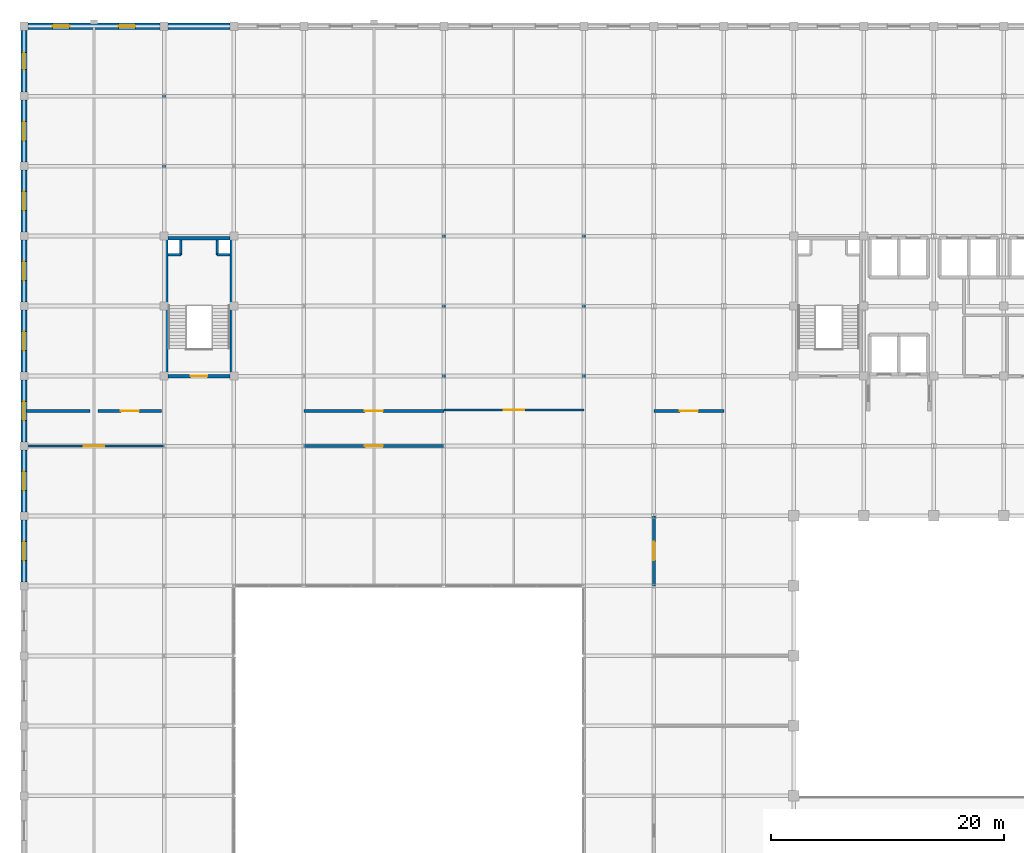
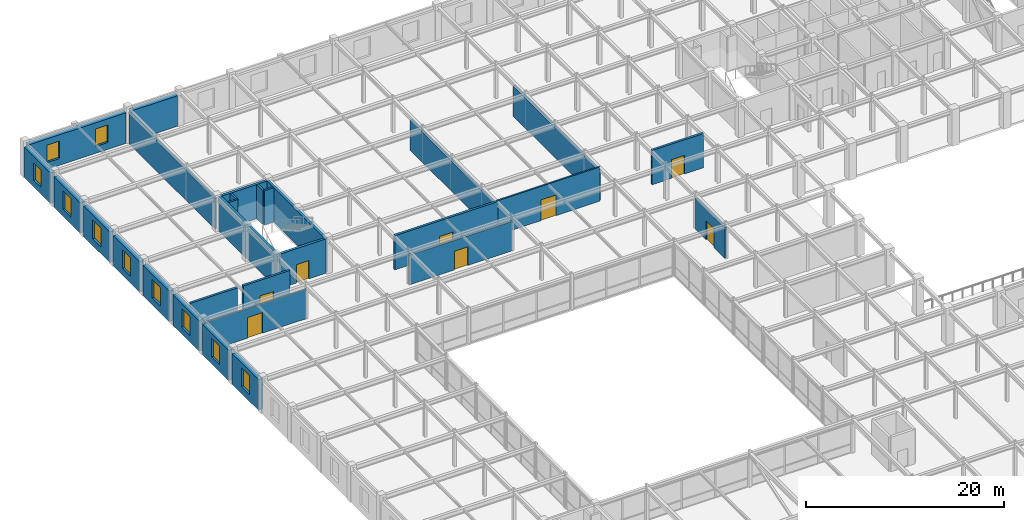
# One storey, part 100 of 108: 29 walls, 10 windows, 8 doors, 18 openings.
"""IFC4 building model written with IfcOpenShell, lengths in metres."""

from ifc_helpers import new_model, si_unit, direction, frame, frame_2d, origin, place, context, subcontext, project, spatial, rectangle, extrude, material, layer, layer_set, type_object, element, fill, save


model = new_model("IFC4")

# Units and contexts
model_context = context("Model", 3, precision=1e-05, world=origin(), true_north=direction((0.0, 1.0)))
body_context = subcontext(model_context, "Body", "Model", "MODEL_VIEW")
ifc_project = project(units=[si_unit("LENGTHUNIT", "METRE"), si_unit("AREAUNIT", "SQUARE_METRE"), si_unit("VOLUMEUNIT", "CUBIC_METRE"), si_unit("PLANEANGLEUNIT", "RADIAN"), si_unit("MASSUNIT", "GRAM", prefix="KILO")], contexts=[model_context])

# Site, building, storey
site_placement = place(None, origin())
site = spatial("IfcSite", under=ifc_project, at=site_placement, CompositionType="ELEMENT")
building_placement = place(site_placement, origin())
building = spatial("IfcBuilding", under=site, at=building_placement, Name="Zlatovratsky Civic Hall", CompositionType="ELEMENT")
storey_placement = place(building_placement, frame((0.0, 0.0, 12.0)))
storey = spatial("IfcBuildingStorey", under=building, at=storey_placement, Name="L03", CompositionType="ELEMENT", Elevation=12.0)

# Wall, opening, door
ifc_material_1 = material(Name="Acoustic ceramic blockwork", Category="masonry")
ifc_layer_1 = layer(ifc_material_1, 0.179931640625)
ifc_layer_set_1 = layer_set([ifc_layer_1], Name="Acoustic ceramic blockwork")
wall_type_1 = type_object("IfcWallType", Name="Wall_AcousticChamberPartition_180", PredefinedType="PARTITIONING", material=ifc_layer_set_1)
wall_1_placement = place(storey_placement, frame((0.0, 78.0, 0.0), z_axis=(0.0, 0.0, 1.0), x_axis=(1.0, 0.0, 0.0)))
wall_1 = element("IfcWall", 1, at=wall_1_placement, inside=storey, type_object=wall_type_1, Name="WL-6176", PredefinedType="PARTITIONING", context=body_context, shape_type="SweptSolid", body=[
    extrude(rectangle(XDim=12.0, YDim=0.179931640625, at=frame_2d((6.0, 0.0))), origin(), (0.0, 0.0, 1.0), 3.637939453125),
])
opening_1_placement = place(wall_1_placement, frame((5.125, 0.0, 0.0)))
opening_1 = element("IfcOpeningElement", 2, at=opening_1_placement, cuts=wall_1, Name="Opening D-13", PredefinedType="OPENING", context=body_context, shape_type="SweptSolid", body=[
    extrude(rectangle(XDim=1.75, YDim=2.550048828125, at=frame_2d((0.875, 1.27490234375))), frame((0.0, 0.10498046875, 0.0), z_axis=(0.0, -1.0, 0.0), x_axis=(1.0, 0.0, 0.0)), (0.0, 0.0, 1.0), 0.209716796875),
])
ifc_material_2 = material(Name="Solid oak joinery in steel frame", Category="steel")
door_type_1 = type_object("IfcDoorType", Name="Door_CommitteeSuiteDouble_1750x2550", OperationType="DOUBLE_DOOR_SINGLE_SWING", PredefinedType="DOOR", material=ifc_material_2)
door_1_placement = place(opening_1_placement, origin())
door_1 = element("IfcDoor", 3, at=door_1_placement, inside=storey, type_object=door_type_1, Name="DR-5297", OperationType="DOUBLE_DOOR_SINGLE_SWING", OverallHeight=2.550048828125, OverallWidth=1.75, PredefinedType="DOOR", context=body_context, shape_type="SweptSolid", body=[
    extrude(rectangle(XDim=1.75, YDim=2.550048828125, at=frame_2d((0.875, 1.27490234375))), frame((0.0, 0.02490234375, 0.0), z_axis=(0.0, -1.0, 0.0), x_axis=(1.0, 0.0, 0.0)), (0.0, 0.0, 1.0), 0.050048828125),
])
fill(opening_1, door_1)

wall_2_placement = place(storey_placement, frame((36.0, 81.10009765625, 0.0), z_axis=(0.0, 0.0, 1.0), x_axis=(1.0, 0.0, 0.0)))
wall_2 = element("IfcWall", 4, at=wall_2_placement, inside=storey, type_object=wall_type_1, Name="WL-6177", PredefinedType="PARTITIONING", context=body_context, shape_type="SweptSolid", body=[
    extrude(rectangle(XDim=12.0, YDim=0.179931640625, at=frame_2d((6.0, 0.0))), origin(), (0.0, 0.0, 1.0), 4.219970703125),
])
opening_2_placement = place(wall_2_placement, frame((5.125, 0.0, 0.0)))
opening_2 = element("IfcOpeningElement", 5, at=opening_2_placement, cuts=wall_2, Name="Opening D-13", PredefinedType="OPENING", context=body_context, shape_type="SweptSolid", body=[
    extrude(rectangle(XDim=1.75, YDim=2.550048828125, at=frame_2d((0.875, 1.27490234375))), frame((0.0, 0.10498046875, 0.0), z_axis=(0.0, -1.0, 0.0), x_axis=(1.0, 0.0, 0.0)), (0.0, 0.0, 1.0), 0.209716796875),
])
door_2_placement = place(opening_2_placement, origin())
door_2 = element("IfcDoor", 6, at=door_2_placement, inside=storey, type_object=door_type_1, Name="DR-5298", OperationType="DOUBLE_DOOR_SINGLE_SWING", OverallHeight=2.550048828125, OverallWidth=1.75, PredefinedType="DOOR", context=body_context, shape_type="SweptSolid", body=[
    extrude(rectangle(XDim=1.75, YDim=2.550048828125, at=frame_2d((0.875, 1.27490234375))), frame((0.0, 0.02490234375, 0.0), z_axis=(0.0, -1.0, 0.0), x_axis=(1.0, 0.0, 0.0)), (0.0, 0.0, 1.0), 0.050048828125),
])
fill(opening_2, door_2)

ifc_layer_2 = layer(ifc_material_1, 0.260009765625)
ifc_layer_set_2 = layer_set([ifc_layer_2], Name="Acoustic ceramic blockwork")
wall_type_2 = type_object("IfcWallType", Name="Wall_ArchiveCompartment_260", PredefinedType="PARTITIONING", material=ifc_layer_set_2)
wall_3_placement = place(storey_placement, frame((24.0, 78.0, 0.0), z_axis=(0.0, 0.0, 1.0), x_axis=(1.0, 0.0, 0.0)))
wall_3 = element("IfcWall", 7, at=wall_3_placement, inside=storey, type_object=wall_type_2, Name="WL-6181", PredefinedType="PARTITIONING", context=body_context, shape_type="SweptSolid", body=[
    extrude(rectangle(XDim=12.0, YDim=0.260009765625, at=frame_2d((6.0, 0.0))), origin(), (0.0, 0.0, 1.0), 3.637939453125),
])
opening_3_placement = place(wall_3_placement, frame((5.22509765625, 0.0, 0.0)))
opening_3 = element("IfcOpeningElement", 8, at=opening_3_placement, cuts=wall_3, Name="Opening D-15", PredefinedType="OPENING", context=body_context, shape_type="SweptSolid", body=[
    extrude(rectangle(XDim=1.550048828125, YDim=2.300048828125, at=frame_2d((0.77490234375, 1.14990234375))), frame((0.0, 0.14501953125, 0.0), z_axis=(0.0, -1.0, 0.0), x_axis=(1.0, 0.0, 0.0)), (0.0, 0.0, 1.0), 0.289794921875),
])
ifc_material_3 = material(Name="Insulated painted fire-rated steel leaf", Category="steel")
door_type_2 = type_object("IfcDoorType", Name="Door_CompactArchiveFire_1550x2300", OperationType="DOUBLE_DOOR_SINGLE_SWING", PredefinedType="DOOR", material=ifc_material_3)
door_3_placement = place(opening_3_placement, origin())
door_3 = element("IfcDoor", 9, at=door_3_placement, inside=storey, type_object=door_type_2, Name="DR-5302", OperationType="DOUBLE_DOOR_SINGLE_SWING", OverallHeight=2.300048828125, OverallWidth=1.550048828125, PredefinedType="DOOR", context=body_context, shape_type="SweptSolid", body=[
    extrude(rectangle(XDim=1.550048828125, YDim=2.300048828125, at=frame_2d((0.77490234375, 1.14990234375))), frame((0.0, 0.02490234375, 0.0), z_axis=(0.0, -1.0, 0.0), x_axis=(1.0, 0.0, 0.0)), (0.0, 0.0, 1.0), 0.050048828125),
])
fill(opening_3, door_3)

wall_4_placement = place(storey_placement, frame((24.0, 81.0, 0.0), z_axis=(0.0, 0.0, 1.0), x_axis=(1.0, 0.0, 0.0)))
wall_4 = element("IfcWall", 10, at=wall_4_placement, inside=storey, type_object=wall_type_2, Name="WL-6183", PredefinedType="PARTITIONING", context=body_context, shape_type="SweptSolid", body=[
    extrude(rectangle(XDim=12.0, YDim=0.260009765625, at=frame_2d((6.0, 0.0))), origin(), (0.0, 0.0, 1.0), 4.219970703125),
])
opening_4_placement = place(wall_4_placement, frame((5.22509765625, 0.0, 0.0)))
opening_4 = element("IfcOpeningElement", 11, at=opening_4_placement, cuts=wall_4, Name="Opening D-15", PredefinedType="OPENING", context=body_context, shape_type="SweptSolid", body=[
    extrude(rectangle(XDim=1.550048828125, YDim=2.300048828125, at=frame_2d((0.77490234375, 1.14990234375))), frame((0.0, 0.14501953125, 0.0), z_axis=(0.0, -1.0, 0.0), x_axis=(1.0, 0.0, 0.0)), (0.0, 0.0, 1.0), 0.289794921875),
])
door_4_placement = place(opening_4_placement, origin())
door_4 = element("IfcDoor", 12, at=door_4_placement, inside=storey, type_object=door_type_2, Name="DR-5304", OperationType="DOUBLE_DOOR_SINGLE_SWING", OverallHeight=2.300048828125, OverallWidth=1.550048828125, PredefinedType="DOOR", context=body_context, shape_type="SweptSolid", body=[
    extrude(rectangle(XDim=1.550048828125, YDim=2.300048828125, at=frame_2d((0.77490234375, 1.14990234375))), frame((0.0, 0.02490234375, 0.0), z_axis=(0.0, -1.0, 0.0), x_axis=(1.0, 0.0, 0.0)), (0.0, 0.0, 1.0), 0.050048828125),
])
fill(opening_4, door_4)

wall_5_placement = place(storey_placement, frame((54.0, 81.0, 0.0), z_axis=(0.0, 0.0, 1.0), x_axis=(1.0, 0.0, 0.0)))
wall_5 = element("IfcWall", 13, at=wall_5_placement, inside=storey, type_object=wall_type_2, Name="WL-6184", PredefinedType="PARTITIONING", context=body_context, shape_type="SweptSolid", body=[
    extrude(rectangle(XDim=6.0, YDim=0.260009765625, at=frame_2d((3.0, 0.0))), origin(), (0.0, 0.0, 1.0), 4.219970703125),
])
opening_5_placement = place(wall_5_placement, frame((2.22509765625, 0.0, 0.0)))
opening_5 = element("IfcOpeningElement", 14, at=opening_5_placement, cuts=wall_5, Name="Opening D-15", PredefinedType="OPENING", context=body_context, shape_type="SweptSolid", body=[
    extrude(rectangle(XDim=1.550048828125, YDim=2.300048828125, at=frame_2d((0.77490234375, 1.14990234375))), frame((0.0, 0.14501953125, 0.0), z_axis=(0.0, -1.0, 0.0), x_axis=(1.0, 0.0, 0.0)), (0.0, 0.0, 1.0), 0.289794921875),
])
door_5_placement = place(opening_5_placement, origin())
door_5 = element("IfcDoor", 15, at=door_5_placement, inside=storey, type_object=door_type_2, Name="DR-5305", OperationType="DOUBLE_DOOR_SINGLE_SWING", OverallHeight=2.300048828125, OverallWidth=1.550048828125, PredefinedType="DOOR", context=body_context, shape_type="SweptSolid", body=[
    extrude(rectangle(XDim=1.550048828125, YDim=2.300048828125, at=frame_2d((0.77490234375, 1.14990234375))), frame((0.0, 0.02490234375, 0.0), z_axis=(0.0, -1.0, 0.0), x_axis=(1.0, 0.0, 0.0)), (0.0, 0.0, 1.0), 0.050048828125),
])
fill(opening_5, door_5)

wall_6_placement = place(storey_placement, frame((54.0, 66.0, 0.0), z_axis=(0.0, 0.0, 1.0), x_axis=(0.0, 1.0, 0.0)))
wall_6 = element("IfcWall", 16, at=wall_6_placement, inside=storey, type_object=wall_type_2, Name="WL-6188", PredefinedType="PARTITIONING", context=body_context, shape_type="SweptSolid", body=[
    extrude(rectangle(XDim=6.0, YDim=0.260009765625, at=frame_2d((3.0, 0.0))), origin(), (0.0, 0.0, 1.0), 3.738037109375),
])
opening_6_placement = place(wall_6_placement, frame((2.22509765625, 0.0, 0.0)))
opening_6 = element("IfcOpeningElement", 17, at=opening_6_placement, cuts=wall_6, Name="Opening D-15", PredefinedType="OPENING", context=body_context, shape_type="SweptSolid", body=[
    extrude(rectangle(XDim=1.550048828125, YDim=2.300048828125, at=frame_2d((0.77490234375, 1.14990234375))), frame((0.0, 0.14501953125, 0.0), z_axis=(0.0, -1.0, 0.0), x_axis=(1.0, 0.0, 0.0)), (0.0, 0.0, 1.0), 0.289794921875),
])
door_6_placement = place(opening_6_placement, origin())
door_6 = element("IfcDoor", 18, at=door_6_placement, inside=storey, type_object=door_type_2, Name="DR-5309", OperationType="DOUBLE_DOOR_SINGLE_SWING", OverallHeight=2.300048828125, OverallWidth=1.550048828125, PredefinedType="DOOR", context=body_context, shape_type="SweptSolid", body=[
    extrude(rectangle(XDim=1.550048828125, YDim=2.300048828125, at=frame_2d((0.77490234375, 1.14990234375))), frame((0.0, 0.02490234375, 0.0), z_axis=(0.0, -1.0, 0.0), x_axis=(1.0, 0.0, 0.0)), (0.0, 0.0, 1.0), 0.050048828125),
])
fill(opening_6, door_6)

wall_7_placement = place(storey_placement, frame((6.35009765625, 81.0, 0.0), z_axis=(0.0, 0.0, 1.0), x_axis=(1.0, 0.0, 0.0)))
wall_7 = element("IfcWall", 19, at=wall_7_placement, inside=storey, type_object=wall_type_2, Name="WL-6191", PredefinedType="PARTITIONING", context=body_context, shape_type="SweptSolid", body=[
    extrude(rectangle(XDim=5.449951171875, YDim=0.260009765625, at=frame_2d((2.72509765625, 0.0))), origin(), (0.0, 0.0, 1.0), 4.219970703125),
])
opening_7_placement = place(wall_7_placement, frame((1.949951171875, 0.0, 0.0)))
opening_7 = element("IfcOpeningElement", 20, at=opening_7_placement, cuts=wall_7, Name="Opening D-15", PredefinedType="OPENING", context=body_context, shape_type="SweptSolid", body=[
    extrude(rectangle(XDim=1.550048828125, YDim=2.300048828125, at=frame_2d((0.77490234375, 1.14990234375))), frame((0.0, 0.14501953125, 0.0), z_axis=(0.0, -1.0, 0.0), x_axis=(1.0, 0.0, 0.0)), (0.0, 0.0, 1.0), 0.289794921875),
])
door_7_placement = place(opening_7_placement, origin())
door_7 = element("IfcDoor", 21, at=door_7_placement, inside=storey, type_object=door_type_2, Name="DR-5312", OperationType="DOUBLE_DOOR_SINGLE_SWING", OverallHeight=2.300048828125, OverallWidth=1.550048828125, PredefinedType="DOOR", context=body_context, shape_type="SweptSolid", body=[
    extrude(rectangle(XDim=1.550048828125, YDim=2.300048828125, at=frame_2d((0.77490234375, 1.14990234375))), frame((0.0, 0.02490234375, 0.0), z_axis=(0.0, -1.0, 0.0), x_axis=(1.0, 0.0, 0.0)), (0.0, 0.0, 1.0), 0.050048828125),
])
fill(opening_7, door_7)

# Walls
for number, where, z_axis, x_axis, name in (
    (22, (36.0, 81.14990234375, 0.0), (0.0, 0.0, 1.0), (0.0, 1.0, 0.0), "WL-6193"),
    (23, (48.0, 81.14990234375, 0.0), (0.0, 0.0, 1.0), (0.0, 1.0, 0.0), "WL-6194"),
):
    element("IfcWall", number, at=place(storey_placement, frame(where, z_axis=z_axis, x_axis=x_axis)), inside=storey, type_object=wall_type_2, Name=name, PredefinedType="PARTITIONING", context=body_context, shape_type="SweptSolid", body=[
        extrude(rectangle(XDim=17.2001953125, YDim=0.260009765625, at=frame_2d((8.60009765625, 0.0))), origin(), (0.0, 0.0, 1.0), 3.738037109375),
    ])
wall_8_placement = place(storey_placement, frame((0.199951171875, 81.0, 0.0), z_axis=(0.0, 0.0, 1.0), x_axis=(1.0, 0.0, 0.0)))
element("IfcWall", 24, at=wall_8_placement, inside=storey, type_object=wall_type_2, Name="WL-6201", PredefinedType="PARTITIONING", context=body_context, shape_type="SweptSolid", body=[
    extrude(rectangle(XDim=5.449951171875, YDim=0.260009765625, at=frame_2d((2.72509765625, 0.0))), origin(), (0.0, 0.0, 1.0), 4.219970703125),
])
wall_9_placement = place(storey_placement, frame((12.0, 96.199951171875, 0.0), z_axis=(0.0, 0.0, 1.0), x_axis=(0.0, 1.0, 0.0)))
element("IfcWall", 25, at=wall_9_placement, inside=storey, type_object=wall_type_2, Name="WL-6203", PredefinedType="PARTITIONING", context=body_context, shape_type="SweptSolid", body=[
    extrude(rectangle(XDim=17.300048828125, YDim=0.260009765625, at=frame_2d((8.64990234375, 0.0))), origin(), (0.0, 0.0, 1.0), 3.738037109375),
])

# Wall, openings, windows
ifc_layer_3 = layer(ifc_material_1, 0.39990234375, Name="Backing")
ifc_material_4 = material(Name="Polished Karelian granite ashlar", Category="masonry")
ifc_layer_4 = layer(ifc_material_4, 0.139892578125, Name="Finish")
ifc_layer_set_3 = layer_set([ifc_layer_3, ifc_layer_4], Name="Acoustic ceramic blockwork")
wall_type_3 = type_object("IfcWallType", Name="Wall_PodiumGraniteArcade_540", PredefinedType="SOLIDWALL", material=ifc_layer_set_3)
wall_10_placement = place(storey_placement, frame((0.35009765625, 114.0, 0.0), z_axis=(0.0, 0.0, 1.0), x_axis=(1.0, 0.0, 0.0)))
wall_10 = element("IfcWall", 26, at=wall_10_placement, inside=storey, type_object=wall_type_3, Name="WL-0259", PredefinedType="SOLIDWALL", context=body_context, shape_type="SweptSolid", body=[
    extrude(rectangle(XDim=11.2998046875, YDim=0.5400390625, at=frame_2d((5.64990234375, 0.0))), origin(), (0.0, 0.0, 1.0), 3.77001953125),
])
opening_8_placement = place(wall_10_placement, frame((2.10009765625, 0.0, 0.85009765625)))
opening_8 = element("IfcOpeningElement", 27, at=opening_8_placement, cuts=wall_10, Name="Opening WN-28", PredefinedType="OPENING", context=body_context, shape_type="SweptSolid", body=[
    extrude(rectangle(XDim=1.449951171875, YDim=2.14990234375, at=frame_2d((0.72509765625, 1.074951171875))), frame((0.0, 0.284912109375, 0.0), z_axis=(0.0, -1.0, 0.0), x_axis=(1.0, 0.0, 0.0)), (0.0, 0.0, 1.0), 0.56982421875),
])
opening_9_placement = place(wall_10_placement, frame((7.75, 0.0, 0.85009765625)))
opening_9 = element("IfcOpeningElement", 28, at=opening_9_placement, cuts=wall_10, Name="Opening WN-28", PredefinedType="OPENING", context=body_context, shape_type="SweptSolid", body=[
    extrude(rectangle(XDim=1.449951171875, YDim=2.14990234375, at=frame_2d((0.72509765625, 1.074951171875))), frame((0.0, 0.284912109375, 0.0), z_axis=(0.0, -1.0, 0.0), x_axis=(1.0, 0.0, 0.0)), (0.0, 0.0, 1.0), 0.56982421875),
])
ifc_material_5 = material(Name="Low-E laminated double glazing", Category="glass")
window_type_1 = type_object("IfcWindowType", Name="Window_CornerBastionUpper_1450x2150", PartitioningType="SINGLE_PANEL", PredefinedType="WINDOW", material=ifc_material_5)
window_1_placement = place(opening_8_placement, origin())
window_1 = element("IfcWindow", 29, at=window_1_placement, inside=storey, type_object=window_type_1, Name="WN-0189", OverallHeight=2.14990234375, OverallWidth=1.449951171875, PartitioningType="SINGLE_PANEL", PredefinedType="WINDOW", context=body_context, shape_type="SweptSolid", body=[
    extrude(rectangle(XDim=1.449951171875, YDim=2.14990234375, at=frame_2d((0.72509765625, 1.074951171875))), frame((0.0, 0.030029296875, 0.0), z_axis=(0.0, -1.0, 0.0), x_axis=(1.0, 0.0, 0.0)), (0.0, 0.0, 1.0), 0.06005859375),
])
fill(opening_8, window_1)
window_2_placement = place(opening_9_placement, origin())
window_2 = element("IfcWindow", 30, at=window_2_placement, inside=storey, type_object=window_type_1, Name="WN-0190", OverallHeight=2.14990234375, OverallWidth=1.449951171875, PartitioningType="SINGLE_PANEL", PredefinedType="WINDOW", context=body_context, shape_type="SweptSolid", body=[
    extrude(rectangle(XDim=1.449951171875, YDim=2.14990234375, at=frame_2d((0.72509765625, 1.074951171875))), frame((0.0, 0.030029296875, 0.0), z_axis=(0.0, -1.0, 0.0), x_axis=(1.0, 0.0, 0.0)), (0.0, 0.0, 1.0), 0.06005859375),
])
fill(opening_9, window_2)

# Wall
wall_11_placement = place(storey_placement, frame((12.35009765625, 114.0, 0.0), z_axis=(0.0, 0.0, 1.0), x_axis=(1.0, 0.0, 0.0)))
element("IfcWall", 31, at=wall_11_placement, inside=storey, type_object=wall_type_3, Name="WL-0260", PredefinedType="SOLIDWALL", context=body_context, shape_type="SweptSolid", body=[
    extrude(rectangle(XDim=5.2998046875, YDim=0.5400390625, at=frame_2d((2.64990234375, 0.0))), origin(), (0.0, 0.0, 1.0), 3.77001953125),
])

# Wall, opening, window
wall_12_placement = place(storey_placement, frame((0.0, 66.35009765625, 0.0), z_axis=(0.0, 0.0, 1.0), x_axis=(0.0, 1.0, 0.0)))
wall_12 = element("IfcWall", 32, at=wall_12_placement, inside=storey, type_object=wall_type_3, Name="WL-0290", PredefinedType="SOLIDWALL", context=body_context, shape_type="SweptSolid", body=[
    extrude(rectangle(XDim=5.2998046875, YDim=0.5400390625, at=frame_2d((2.64990234375, 0.0))), origin(), (0.0, 0.0, 1.0), 3.77001953125),
])
opening_10_placement = place(wall_12_placement, frame((1.824951171875, 0.0, 0.85009765625)))
opening_10 = element("IfcOpeningElement", 33, at=opening_10_placement, cuts=wall_12, Name="Opening WN-09", PredefinedType="OPENING", context=body_context, shape_type="SweptSolid", body=[
    extrude(rectangle(XDim=1.64990234375, YDim=2.300048828125, at=frame_2d((0.824951171875, 1.14990234375))), frame((0.0, 0.284912109375, 0.0), z_axis=(0.0, -1.0, 0.0), x_axis=(1.0, 0.0, 0.0)), (0.0, 0.0, 1.0), 0.56982421875),
])
window_type_2 = type_object("IfcWindowType", Name="Window_CourtWingL03_1650x2300", PartitioningType="SINGLE_PANEL", PredefinedType="WINDOW", material=ifc_material_5)
window_3_placement = place(opening_10_placement, origin())
window_3 = element("IfcWindow", 34, at=window_3_placement, inside=storey, type_object=window_type_2, Name="WN-0226", OverallHeight=2.300048828125, OverallWidth=1.64990234375, PartitioningType="SINGLE_PANEL", PredefinedType="WINDOW", context=body_context, shape_type="SweptSolid", body=[
    extrude(rectangle(XDim=1.64990234375, YDim=2.300048828125, at=frame_2d((0.824951171875, 1.14990234375))), frame((0.0, 0.030029296875, 0.0), z_axis=(0.0, -1.0, 0.0), x_axis=(1.0, 0.0, 0.0)), (0.0, 0.0, 1.0), 0.06005859375),
])
fill(opening_10, window_3)

wall_13_placement = place(storey_placement, frame((0.0, 72.35009765625, 0.0), z_axis=(0.0, 0.0, 1.0), x_axis=(0.0, 1.0, 0.0)))
wall_13 = element("IfcWall", 35, at=wall_13_placement, inside=storey, type_object=wall_type_3, Name="WL-0291", PredefinedType="SOLIDWALL", context=body_context, shape_type="SweptSolid", body=[
    extrude(rectangle(XDim=5.2998046875, YDim=0.5400390625, at=frame_2d((2.64990234375, 0.0))), origin(), (0.0, 0.0, 1.0), 3.77001953125),
])
opening_11_placement = place(wall_13_placement, frame((1.824951171875, 0.0, 0.85009765625)))
opening_11 = element("IfcOpeningElement", 36, at=opening_11_placement, cuts=wall_13, Name="Opening WN-09", PredefinedType="OPENING", context=body_context, shape_type="SweptSolid", body=[
    extrude(rectangle(XDim=1.64990234375, YDim=2.300048828125, at=frame_2d((0.824951171875, 1.14990234375))), frame((0.0, 0.284912109375, 0.0), z_axis=(0.0, -1.0, 0.0), x_axis=(1.0, 0.0, 0.0)), (0.0, 0.0, 1.0), 0.56982421875),
])
window_4_placement = place(opening_11_placement, origin())
window_4 = element("IfcWindow", 37, at=window_4_placement, inside=storey, type_object=window_type_2, Name="WN-0227", OverallHeight=2.300048828125, OverallWidth=1.64990234375, PartitioningType="SINGLE_PANEL", PredefinedType="WINDOW", context=body_context, shape_type="SweptSolid", body=[
    extrude(rectangle(XDim=1.64990234375, YDim=2.300048828125, at=frame_2d((0.824951171875, 1.14990234375))), frame((0.0, 0.030029296875, 0.0), z_axis=(0.0, -1.0, 0.0), x_axis=(1.0, 0.0, 0.0)), (0.0, 0.0, 1.0), 0.06005859375),
])
fill(opening_11, window_4)

wall_14_placement = place(storey_placement, frame((0.0, 78.35009765625, 0.0), z_axis=(0.0, 0.0, 1.0), x_axis=(0.0, 1.0, 0.0)))
wall_14 = element("IfcWall", 38, at=wall_14_placement, inside=storey, type_object=wall_type_3, Name="WL-0292", PredefinedType="SOLIDWALL", context=body_context, shape_type="SweptSolid", body=[
    extrude(rectangle(XDim=5.2998046875, YDim=0.5400390625, at=frame_2d((2.64990234375, 0.0))), origin(), (0.0, 0.0, 1.0), 3.77001953125),
])
opening_12_placement = place(wall_14_placement, frame((1.824951171875, 0.0, 0.85009765625)))
opening_12 = element("IfcOpeningElement", 39, at=opening_12_placement, cuts=wall_14, Name="Opening WN-09", PredefinedType="OPENING", context=body_context, shape_type="SweptSolid", body=[
    extrude(rectangle(XDim=1.64990234375, YDim=2.300048828125, at=frame_2d((0.824951171875, 1.14990234375))), frame((0.0, 0.284912109375, 0.0), z_axis=(0.0, -1.0, 0.0), x_axis=(1.0, 0.0, 0.0)), (0.0, 0.0, 1.0), 0.56982421875),
])
window_5_placement = place(opening_12_placement, origin())
window_5 = element("IfcWindow", 40, at=window_5_placement, inside=storey, type_object=window_type_2, Name="WN-0228", OverallHeight=2.300048828125, OverallWidth=1.64990234375, PartitioningType="SINGLE_PANEL", PredefinedType="WINDOW", context=body_context, shape_type="SweptSolid", body=[
    extrude(rectangle(XDim=1.64990234375, YDim=2.300048828125, at=frame_2d((0.824951171875, 1.14990234375))), frame((0.0, 0.030029296875, 0.0), z_axis=(0.0, -1.0, 0.0), x_axis=(1.0, 0.0, 0.0)), (0.0, 0.0, 1.0), 0.06005859375),
])
fill(opening_12, window_5)

wall_15_placement = place(storey_placement, frame((0.0, 84.35009765625, 0.0), z_axis=(0.0, 0.0, 1.0), x_axis=(0.0, 1.0, 0.0)))
wall_15 = element("IfcWall", 41, at=wall_15_placement, inside=storey, type_object=wall_type_3, Name="WL-0293", PredefinedType="SOLIDWALL", context=body_context, shape_type="SweptSolid", body=[
    extrude(rectangle(XDim=5.2998046875, YDim=0.5400390625, at=frame_2d((2.64990234375, 0.0))), origin(), (0.0, 0.0, 1.0), 3.77001953125),
])
opening_13_placement = place(wall_15_placement, frame((1.824951171875, 0.0, 0.85009765625)))
opening_13 = element("IfcOpeningElement", 42, at=opening_13_placement, cuts=wall_15, Name="Opening WN-09", PredefinedType="OPENING", context=body_context, shape_type="SweptSolid", body=[
    extrude(rectangle(XDim=1.64990234375, YDim=2.300048828125, at=frame_2d((0.824951171875, 1.14990234375))), frame((0.0, 0.284912109375, 0.0), z_axis=(0.0, -1.0, 0.0), x_axis=(1.0, 0.0, 0.0)), (0.0, 0.0, 1.0), 0.56982421875),
])
window_6_placement = place(opening_13_placement, origin())
window_6 = element("IfcWindow", 43, at=window_6_placement, inside=storey, type_object=window_type_2, Name="WN-0229", OverallHeight=2.300048828125, OverallWidth=1.64990234375, PartitioningType="SINGLE_PANEL", PredefinedType="WINDOW", context=body_context, shape_type="SweptSolid", body=[
    extrude(rectangle(XDim=1.64990234375, YDim=2.300048828125, at=frame_2d((0.824951171875, 1.14990234375))), frame((0.0, 0.030029296875, 0.0), z_axis=(0.0, -1.0, 0.0), x_axis=(1.0, 0.0, 0.0)), (0.0, 0.0, 1.0), 0.06005859375),
])
fill(opening_13, window_6)

wall_16_placement = place(storey_placement, frame((0.0, 90.35009765625, 0.0), z_axis=(0.0, 0.0, 1.0), x_axis=(0.0, 1.0, 0.0)))
wall_16 = element("IfcWall", 44, at=wall_16_placement, inside=storey, type_object=wall_type_3, Name="WL-0294", PredefinedType="SOLIDWALL", context=body_context, shape_type="SweptSolid", body=[
    extrude(rectangle(XDim=5.2998046875, YDim=0.5400390625, at=frame_2d((2.64990234375, 0.0))), origin(), (0.0, 0.0, 1.0), 3.77001953125),
])
opening_14_placement = place(wall_16_placement, frame((1.824951171875, 0.0, 0.85009765625)))
opening_14 = element("IfcOpeningElement", 45, at=opening_14_placement, cuts=wall_16, Name="Opening WN-09", PredefinedType="OPENING", context=body_context, shape_type="SweptSolid", body=[
    extrude(rectangle(XDim=1.64990234375, YDim=2.300048828125, at=frame_2d((0.824951171875, 1.14990234375))), frame((0.0, 0.284912109375, 0.0), z_axis=(0.0, -1.0, 0.0), x_axis=(1.0, 0.0, 0.0)), (0.0, 0.0, 1.0), 0.56982421875),
])
window_7_placement = place(opening_14_placement, origin())
window_7 = element("IfcWindow", 46, at=window_7_placement, inside=storey, type_object=window_type_2, Name="WN-0230", OverallHeight=2.300048828125, OverallWidth=1.64990234375, PartitioningType="SINGLE_PANEL", PredefinedType="WINDOW", context=body_context, shape_type="SweptSolid", body=[
    extrude(rectangle(XDim=1.64990234375, YDim=2.300048828125, at=frame_2d((0.824951171875, 1.14990234375))), frame((0.0, 0.030029296875, 0.0), z_axis=(0.0, -1.0, 0.0), x_axis=(1.0, 0.0, 0.0)), (0.0, 0.0, 1.0), 0.06005859375),
])
fill(opening_14, window_7)

wall_17_placement = place(storey_placement, frame((0.0, 96.35009765625, 0.0), z_axis=(0.0, 0.0, 1.0), x_axis=(0.0, 1.0, 0.0)))
wall_17 = element("IfcWall", 47, at=wall_17_placement, inside=storey, type_object=wall_type_3, Name="WL-0295", PredefinedType="SOLIDWALL", context=body_context, shape_type="SweptSolid", body=[
    extrude(rectangle(XDim=5.2998046875, YDim=0.5400390625, at=frame_2d((2.64990234375, 0.0))), origin(), (0.0, 0.0, 1.0), 3.77001953125),
])
opening_15_placement = place(wall_17_placement, frame((1.824951171875, 0.0, 0.85009765625)))
opening_15 = element("IfcOpeningElement", 48, at=opening_15_placement, cuts=wall_17, Name="Opening WN-09", PredefinedType="OPENING", context=body_context, shape_type="SweptSolid", body=[
    extrude(rectangle(XDim=1.64990234375, YDim=2.300048828125, at=frame_2d((0.824951171875, 1.14990234375))), frame((0.0, 0.284912109375, 0.0), z_axis=(0.0, -1.0, 0.0), x_axis=(1.0, 0.0, 0.0)), (0.0, 0.0, 1.0), 0.56982421875),
])
window_8_placement = place(opening_15_placement, origin())
window_8 = element("IfcWindow", 49, at=window_8_placement, inside=storey, type_object=window_type_2, Name="WN-0231", OverallHeight=2.300048828125, OverallWidth=1.64990234375, PartitioningType="SINGLE_PANEL", PredefinedType="WINDOW", context=body_context, shape_type="SweptSolid", body=[
    extrude(rectangle(XDim=1.64990234375, YDim=2.300048828125, at=frame_2d((0.824951171875, 1.14990234375))), frame((0.0, 0.030029296875, 0.0), z_axis=(0.0, -1.0, 0.0), x_axis=(1.0, 0.0, 0.0)), (0.0, 0.0, 1.0), 0.06005859375),
])
fill(opening_15, window_8)

wall_18_placement = place(storey_placement, frame((0.0, 102.35009765625, 0.0), z_axis=(0.0, 0.0, 1.0), x_axis=(0.0, 1.0, 0.0)))
wall_18 = element("IfcWall", 50, at=wall_18_placement, inside=storey, type_object=wall_type_3, Name="WL-0296", PredefinedType="SOLIDWALL", context=body_context, shape_type="SweptSolid", body=[
    extrude(rectangle(XDim=5.2998046875, YDim=0.5400390625, at=frame_2d((2.64990234375, 0.0))), origin(), (0.0, 0.0, 1.0), 3.77001953125),
])
opening_16_placement = place(wall_18_placement, frame((1.824951171875, 0.0, 0.85009765625)))
opening_16 = element("IfcOpeningElement", 51, at=opening_16_placement, cuts=wall_18, Name="Opening WN-09", PredefinedType="OPENING", context=body_context, shape_type="SweptSolid", body=[
    extrude(rectangle(XDim=1.64990234375, YDim=2.300048828125, at=frame_2d((0.824951171875, 1.14990234375))), frame((0.0, 0.284912109375, 0.0), z_axis=(0.0, -1.0, 0.0), x_axis=(1.0, 0.0, 0.0)), (0.0, 0.0, 1.0), 0.56982421875),
])
window_9_placement = place(opening_16_placement, origin())
window_9 = element("IfcWindow", 52, at=window_9_placement, inside=storey, type_object=window_type_2, Name="WN-0232", OverallHeight=2.300048828125, OverallWidth=1.64990234375, PartitioningType="SINGLE_PANEL", PredefinedType="WINDOW", context=body_context, shape_type="SweptSolid", body=[
    extrude(rectangle(XDim=1.64990234375, YDim=2.300048828125, at=frame_2d((0.824951171875, 1.14990234375))), frame((0.0, 0.030029296875, 0.0), z_axis=(0.0, -1.0, 0.0), x_axis=(1.0, 0.0, 0.0)), (0.0, 0.0, 1.0), 0.06005859375),
])
fill(opening_16, window_9)

wall_19_placement = place(storey_placement, frame((0.0, 108.35009765625, 0.0), z_axis=(0.0, 0.0, 1.0), x_axis=(0.0, 1.0, 0.0)))
wall_19 = element("IfcWall", 53, at=wall_19_placement, inside=storey, type_object=wall_type_3, Name="WL-0297", PredefinedType="SOLIDWALL", context=body_context, shape_type="SweptSolid", body=[
    extrude(rectangle(XDim=5.2998046875, YDim=0.5400390625, at=frame_2d((2.64990234375, 0.0))), origin(), (0.0, 0.0, 1.0), 3.77001953125),
])
opening_17_placement = place(wall_19_placement, frame((1.925048828125, 0.0, 0.85009765625)))
opening_17 = element("IfcOpeningElement", 54, at=opening_17_placement, cuts=wall_19, Name="Opening WN-28", PredefinedType="OPENING", context=body_context, shape_type="SweptSolid", body=[
    extrude(rectangle(XDim=1.449951171875, YDim=2.14990234375, at=frame_2d((0.72509765625, 1.074951171875))), frame((0.0, 0.284912109375, 0.0), z_axis=(0.0, -1.0, 0.0), x_axis=(1.0, 0.0, 0.0)), (0.0, 0.0, 1.0), 0.56982421875),
])
window_10_placement = place(opening_17_placement, origin())
window_10 = element("IfcWindow", 55, at=window_10_placement, inside=storey, type_object=window_type_1, Name="WN-0233", OverallHeight=2.14990234375, OverallWidth=1.449951171875, PartitioningType="SINGLE_PANEL", PredefinedType="WINDOW", context=body_context, shape_type="SweptSolid", body=[
    extrude(rectangle(XDim=1.449951171875, YDim=2.14990234375, at=frame_2d((0.72509765625, 1.074951171875))), frame((0.0, 0.030029296875, 0.0), z_axis=(0.0, -1.0, 0.0), x_axis=(1.0, 0.0, 0.0)), (0.0, 0.0, 1.0), 0.06005859375),
])
fill(opening_17, window_10)

# Walls
ifc_layer_5 = layer(ifc_material_1, 0.219970703125)
ifc_layer_set_4 = layer_set([ifc_layer_5], Name="Acoustic ceramic blockwork")
wall_type_4 = type_object("IfcWallType", Name="Wall_SanitaryWetCore_220", PredefinedType="PARTITIONING", material=ifc_layer_set_4)
wall_20_placement = place(storey_placement, frame((13.449951171875, 94.39990234375, 0.0), z_axis=(0.0, 0.0, 1.0), x_axis=(0.0, 1.0, 0.0)))
element("IfcWall", 56, at=wall_20_placement, inside=storey, type_object=wall_type_4, Name="WL-5417", PredefinedType="PARTITIONING", context=body_context, shape_type="SweptSolid", body=[
    extrude(rectangle(XDim=1.25, YDim=0.219970703125, at=frame_2d((0.625, 0.0))), origin(), (0.0, 0.0, 1.0), 4.219970703125),
])
wall_21_placement = place(storey_placement, frame((12.35009765625, 94.39990234375, 0.0), z_axis=(0.0, 0.0, 1.0), x_axis=(1.0, 0.0, 0.0)))
element("IfcWall", 57, at=wall_21_placement, inside=storey, type_object=wall_type_4, Name="WL-5418", PredefinedType="PARTITIONING", context=body_context, shape_type="SweptSolid", body=[
    extrude(rectangle(XDim=1.099853515625, YDim=0.219970703125, at=frame_2d((0.5498046875, 0.0))), origin(), (0.0, 0.0, 1.0), 4.219970703125),
])
wall_22_placement = place(storey_placement, frame((16.550048828125, 94.39990234375, 0.0), z_axis=(0.0, 0.0, 1.0), x_axis=(0.0, 1.0, 0.0)))
element("IfcWall", 58, at=wall_22_placement, inside=storey, type_object=wall_type_4, Name="WL-5419", PredefinedType="PARTITIONING", context=body_context, shape_type="SweptSolid", body=[
    extrude(rectangle(XDim=1.25, YDim=0.219970703125, at=frame_2d((0.625, 0.0))), origin(), (0.0, 0.0, 1.0), 4.219970703125),
])
wall_23_placement = place(storey_placement, frame((16.550048828125, 94.39990234375, 0.0), z_axis=(0.0, 0.0, 1.0), x_axis=(1.0, 0.0, 0.0)))
element("IfcWall", 59, at=wall_23_placement, inside=storey, type_object=wall_type_4, Name="WL-5420", PredefinedType="PARTITIONING", context=body_context, shape_type="SweptSolid", body=[
    extrude(rectangle(XDim=1.099853515625, YDim=0.219970703125, at=frame_2d((0.5498046875, 0.0))), origin(), (0.0, 0.0, 1.0), 4.219970703125),
])

# Wall, opening, door
ifc_material_6 = material(Name="Concrete C35/45 (B40)", Category="concrete")
ifc_layer_6 = layer(ifc_material_6, 0.300048828125)
ifc_layer_set_5 = layer_set([ifc_layer_6], Name="Concrete C35/45 (B40)")
wall_type_5 = type_object("IfcWallType", Name="Wall_StairAndLiftShaft_300", PredefinedType="SHEAR", material=ifc_layer_set_5)
wall_24_placement = place(storey_placement, frame((12.35009765625, 84.0, 0.0), z_axis=(0.0, 0.0, 1.0), x_axis=(1.0, 0.0, 0.0)))
wall_24 = element("IfcWall", 60, at=wall_24_placement, inside=storey, type_object=wall_type_5, Name="WL-5413", PredefinedType="SHEAR", context=body_context, shape_type="SweptSolid", body=[
    extrude(rectangle(XDim=5.2998046875, YDim=0.300048828125, at=frame_2d((2.64990234375, 0.0))), origin(), (0.0, 0.0, 1.0), 4.219970703125),
])
opening_18_placement = place(wall_24_placement, frame((1.925048828125, 0.0, 0.0)))
opening_18 = element("IfcOpeningElement", 61, at=opening_18_placement, cuts=wall_24, Name="Opening D-16", PredefinedType="OPENING", context=body_context, shape_type="SweptSolid", body=[
    extrude(rectangle(XDim=1.449951171875, YDim=2.25, at=frame_2d((0.72509765625, 1.125))), frame((0.0, 0.1650390625, 0.0), z_axis=(0.0, -1.0, 0.0), x_axis=(1.0, 0.0, 0.0)), (0.0, 0.0, 1.0), 0.329833984375),
])
door_type_3 = type_object("IfcDoorType", Name="Door_StairwellFirePodium_1450x2250", OperationType="NOTDEFINED", PredefinedType="DOOR", material=ifc_material_3)
door_8_placement = place(opening_18_placement, origin())
door_8 = element("IfcDoor", 62, at=door_8_placement, inside=storey, type_object=door_type_3, Name="DR-5052", OperationType="SINGLE_SWING_LEFT", OverallHeight=2.25, OverallWidth=1.449951171875, PredefinedType="DOOR", context=body_context, shape_type="SweptSolid", body=[
    extrude(rectangle(XDim=1.449951171875, YDim=2.25, at=frame_2d((0.72509765625, 1.125))), frame((0.0, 0.02490234375, 0.0), z_axis=(0.0, -1.0, 0.0), x_axis=(1.0, 0.0, 0.0)), (0.0, 0.0, 1.0), 0.050048828125),
])
fill(opening_18, door_8)

# Walls
wall_25_placement = place(storey_placement, frame((12.35009765625, 95.800048828125, 0.0), z_axis=(0.0, 0.0, 1.0), x_axis=(1.0, 0.0, 0.0)))
element("IfcWall", 63, at=wall_25_placement, inside=storey, type_object=wall_type_5, Name="WL-5414", PredefinedType="SHEAR", context=body_context, shape_type="SweptSolid", body=[
    extrude(rectangle(XDim=5.2998046875, YDim=0.300048828125, at=frame_2d((2.64990234375, 0.0))), origin(), (0.0, 0.0, 1.0), 4.219970703125),
])
for number, where, z_axis, x_axis, name in (
    (64, (12.199951171875, 84.0, 0.0), (0.0, 0.0, 1.0), (0.0, 1.0, 0.0), "WL-5415"),
    (65, (17.800048828125, 84.0, 0.0), (0.0, 0.0, 1.0), (0.0, 1.0, 0.0), "WL-5416"),
):
    element("IfcWall", number, at=place(storey_placement, frame(where, z_axis=z_axis, x_axis=x_axis)), inside=storey, type_object=wall_type_5, Name=name, PredefinedType="SHEAR", context=body_context, shape_type="SweptSolid", body=[
        extrude(rectangle(XDim=11.800048828125, YDim=0.300048828125, at=frame_2d((5.89990234375, 0.0))), origin(), (0.0, 0.0, 1.0), 4.219970703125),
    ])

save(model, "model.ifc")
